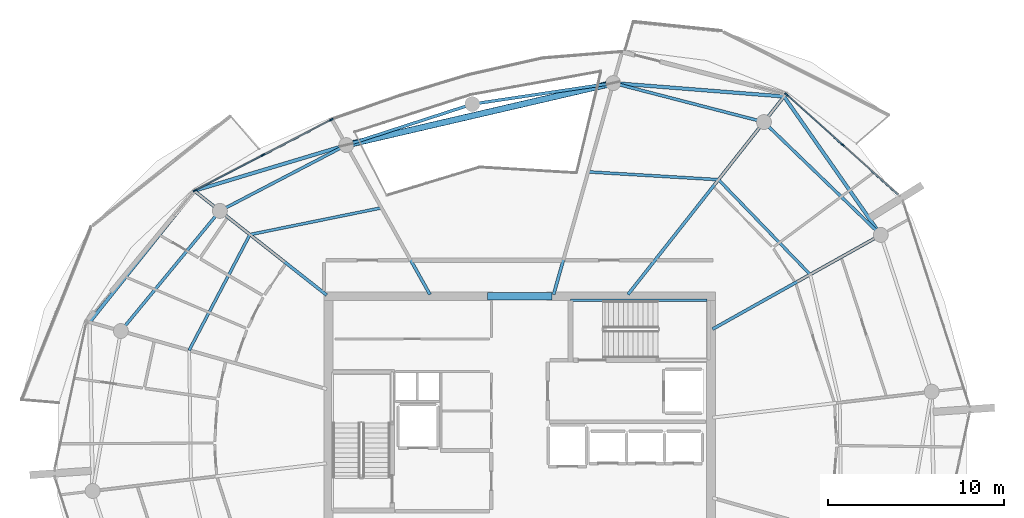
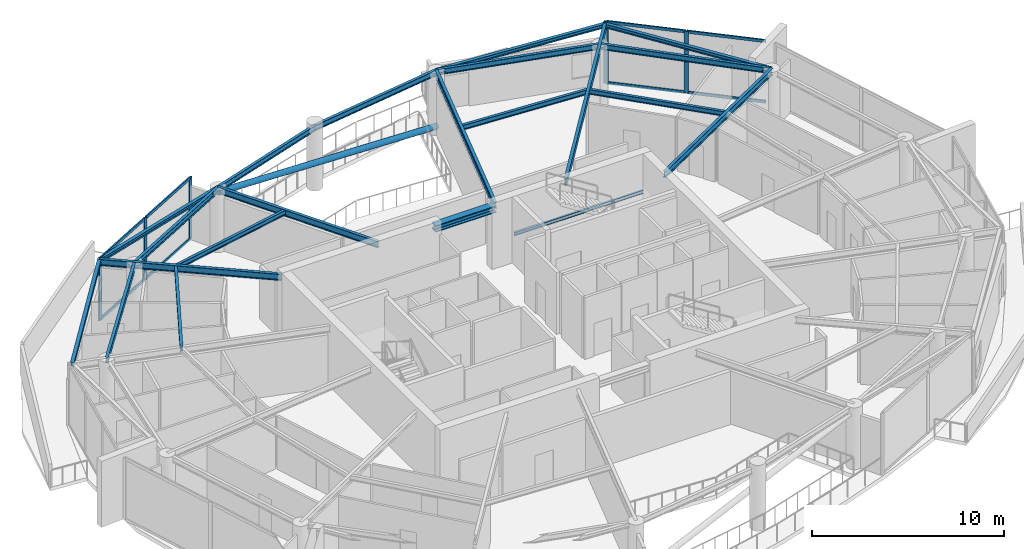
# One storey, part 7 of 22: 21 beams, 14 members, 2 elements without a shape of their own.
"""IFC4 building model written with IfcOpenShell, lengths in metres."""

from ifc_helpers import new_model, si_unit, direction, frame, origin, origin_2d, place, context, subcontext, project, spatial, rectangle, hollow_circle, i_section, extrude, material, layer, layer_set, material_profile, profile_set, type_object, element, aggregate, save


model = new_model("IFC4")

# Units and contexts
model_context = context("Model", 3, precision=1e-05, world=origin(), true_north=direction((0.0, 1.0)))
body_context = subcontext(model_context, "Body", "Model", "MODEL_VIEW")
ifc_project = project(units=[si_unit("LENGTHUNIT", "METRE"), si_unit("AREAUNIT", "SQUARE_METRE"), si_unit("VOLUMEUNIT", "CUBIC_METRE"), si_unit("PLANEANGLEUNIT", "RADIAN"), si_unit("MASSUNIT", "GRAM", prefix="KILO")], contexts=[model_context])

# Site, building, storey
site_placement = place(None, origin())
site = spatial("IfcSite", under=ifc_project, at=site_placement, CompositionType="ELEMENT")
building_placement = place(site_placement, origin())
building = spatial("IfcBuilding", under=site, at=building_placement, Name="Kazma Halo Residences", CompositionType="ELEMENT")
storey_placement = place(building_placement, frame((0.0, 0.0, 330.5)))
storey = spatial("IfcBuildingStorey", under=building, at=storey_placement, Name="L83", CompositionType="ELEMENT", Elevation=330.5)

# Beams
ifc_material_1 = material(Name="Steel S355", Category="steel")
ifc_material_profile_1 = material_profile(ifc_material_1, i_section(OverallWidth=0.201904296875, OverallDepth=0.2470703125, WebThickness=0.00732421875, FlangeThickness=0.010986328125, FilletRadius=0.011962890625, at=origin_2d()), Name="W250x49.1")
ifc_profile_set_1 = profile_set([ifc_material_profile_1], Name="Steel S355")
beam_type_1 = type_object("IfcBeamType", Name="BM-BAL-CANT", PredefinedType="BEAM", material=ifc_profile_set_1)
beam_1_placement = place(storey_placement, frame((68.96337890625, 53.739990234375, 3.81640625), z_axis=(-0.572873629847, 0.819643705659, 0.0), x_axis=(-0.819643705659, -0.572873629847, 0.0)))
element("IfcBeam", 1, at=beam_1_placement, inside=storey, type_object=beam_type_1, Name="L83 wave-balcony lead tie beam 01", PredefinedType="BEAM", context=body_context, shape_type="SweptSolid", body=[
    extrude(i_section(OverallWidth=0.201904296875, OverallDepth=0.2470703125, WebThickness=0.00732421875, FlangeThickness=0.010986328125, FilletRadius=0.011962890625, at=origin_2d()), origin(), (0.0, 0.0, 1.0), 9.6044921875),
])
beam_2_placement = place(storey_placement, frame((63.461181640625, 61.6123046875, 3.81640625), z_axis=(-0.996920506796, 0.078418767718, 0.0), x_axis=(-0.078418767718, -0.996920506796, 0.0)))
element("IfcBeam", 2, at=beam_2_placement, inside=storey, type_object=beam_type_1, Name="L83 wave-balcony tie beam 02", PredefinedType="BEAM", context=body_context, shape_type="SweptSolid", body=[
    extrude(i_section(OverallWidth=0.201904296875, OverallDepth=0.2470703125, WebThickness=0.00732421875, FlangeThickness=0.010986328125, FilletRadius=0.011962890625, at=origin_2d()), origin(), (0.0, 0.0, 1.0), 9.74462890625),
])
beam_3_placement = place(storey_placement, frame((38.563232421875, 58.8505859375, 3.81640625), z_axis=(-0.957652623349, -0.287926124193, 0.0), x_axis=(0.287926124193, -0.957652623349, 0.0)))
element("IfcBeam", 3, at=beam_3_placement, inside=storey, type_object=beam_type_1, Name="L83 wave-balcony lead tie beam 05", PredefinedType="BEAM", context=body_context, shape_type="SweptSolid", body=[
    extrude(i_section(OverallWidth=0.201904296875, OverallDepth=0.2470703125, WebThickness=0.00732421875, FlangeThickness=0.010986328125, FilletRadius=0.011962890625, at=origin_2d()), origin(), (0.0, 0.0, 1.0), 9.0244140625),
])
beam_4_placement = place(storey_placement, frame((29.9208984375, 56.252197265625, 3.81640625), z_axis=(-0.623310870646, -0.781974141858, 0.0), x_axis=(0.781974141858, -0.623310870646, 0.0)))
element("IfcBeam", 4, at=beam_4_placement, inside=storey, type_object=beam_type_1, Name="L83 wave-balcony tie beam 06", PredefinedType="BEAM", context=body_context, shape_type="SweptSolid", body=[
    extrude(i_section(OverallWidth=0.201904296875, OverallDepth=0.2470703125, WebThickness=0.00732421875, FlangeThickness=0.010986328125, FilletRadius=0.011962890625, at=origin_2d()), origin(), (0.0, 0.0, 1.0), 9.55712890625),
])
ifc_material_profile_2 = material_profile(ifc_material_1, i_section(OverallWidth=0.408935546875, OverallDepth=0.425048828125, WebThickness=0.03271484375, FlangeThickness=0.052490234375, FilletRadius=0.02001953125, at=origin_2d()), Name="W360x421")
ifc_profile_set_2 = profile_set([ifc_material_profile_2], Name="Steel S355")
beam_type_2 = type_object("IfcBeamType", Name="BM-CORE-W360H", PredefinedType="BEAM", material=ifc_profile_set_2)
beam_5_placement = place(storey_placement, frame((46.60009765625, 50.25, 3.7275390625), z_axis=(1.0, 0.0, 0.0), x_axis=(0.0, 1.0, 0.0)))
element("IfcBeam", 5, at=beam_5_placement, inside=storey, type_object=beam_type_2, Name="L83 core coupling beam N", PredefinedType="BEAM", context=body_context, shape_type="SweptSolid", body=[
    extrude(i_section(OverallWidth=0.408935546875, OverallDepth=0.425048828125, WebThickness=0.03271484375, FlangeThickness=0.052490234375, FilletRadius=0.02001953125, at=origin_2d()), origin(), (0.0, 0.0, 1.0), 3.64990234375),
])
ifc_material_profile_3 = material_profile(ifc_material_1, i_section(OverallWidth=0.177978515625, OverallDepth=0.406982421875, WebThickness=0.0078125, FlangeThickness=0.0126953125, FilletRadius=0.013916015625, at=origin_2d()), Name="W410x60")
ifc_profile_set_3 = profile_set([ifc_material_profile_3], Name="Steel S355")
beam_type_3 = type_object("IfcBeamType", Name="BM-RAD-W410", PredefinedType="BEAM", material=ifc_profile_set_3)
beam_6_placement = place(storey_placement, frame((59.39990234375, 48.38427734375, 3.736572265625), z_axis=(0.872499558985, 0.488614899047, 0.0), x_axis=(-0.488614899047, 0.872499558985, 0.0)))
element("IfcBeam", 6, at=beam_6_placement, inside=storey, type_object=beam_type_3, Name="L83 radial floor beam 01", PredefinedType="BEAM", context=body_context, shape_type="SweptSolid", body=[
    extrude(i_section(OverallWidth=0.177978515625, OverallDepth=0.406982421875, WebThickness=0.0078125, FlangeThickness=0.0126953125, FilletRadius=0.013916015625, at=origin_2d()), origin(), (0.0, 0.0, 1.0), 10.9609375),
])
beam_7_placement = place(storey_placement, frame((54.58251953125, 50.35009765625, 3.736572265625), z_axis=(0.61910487104, 0.78530832076, 0.0), x_axis=(-0.78530832076, 0.61910487104, 0.0)))
element("IfcBeam", 7, at=beam_7_placement, inside=storey, type_object=beam_type_3, Name="L83 radial floor beam 02", PredefinedType="BEAM", context=body_context, shape_type="SweptSolid", body=[
    extrude(i_section(OverallWidth=0.177978515625, OverallDepth=0.406982421875, WebThickness=0.0078125, FlangeThickness=0.0126953125, FilletRadius=0.013916015625, at=origin_2d()), origin(), (0.0, 0.0, 1.0), 14.341064453125),
])
beam_8_placement = place(storey_placement, frame((50.35498046875, 50.35009765625, 3.736572265625), z_axis=(0.271426752139, 0.962459099507, 0.0), x_axis=(-0.962459099507, 0.271426752139, 0.0)))
element("IfcBeam", 8, at=beam_8_placement, inside=storey, type_object=beam_type_3, Name="L83 radial floor beam 03", PredefinedType="BEAM", context=body_context, shape_type="SweptSolid", body=[
    extrude(i_section(OverallWidth=0.177978515625, OverallDepth=0.406982421875, WebThickness=0.0078125, FlangeThickness=0.0126953125, FilletRadius=0.013916015625, at=origin_2d()), origin(), (0.0, 0.0, 1.0), 12.495361328125),
])
beam_9_placement = place(storey_placement, frame((43.32373046875, 50.35009765625, 3.736572265625), z_axis=(-0.488620919127, 0.872496187608, 0.0), x_axis=(-0.872496187608, -0.488620919127, 0.0)))
element("IfcBeam", 9, at=beam_9_placement, inside=storey, type_object=beam_type_3, Name="L83 radial floor beam 05", PredefinedType="BEAM", context=body_context, shape_type="SweptSolid", body=[
    extrude(i_section(OverallWidth=0.177978515625, OverallDepth=0.406982421875, WebThickness=0.0078125, FlangeThickness=0.0126953125, FilletRadius=0.013916015625, at=origin_2d()), origin(), (0.0, 0.0, 1.0), 9.74267578125),
])
beam_10_placement = place(storey_placement, frame((37.449951171875, 50.31689453125, 3.736572265625), z_axis=(-0.78532321171, 0.619085982032, 0.0), x_axis=(-0.619085982032, -0.78532321171, 0.0)))
element("IfcBeam", 10, at=beam_10_placement, inside=storey, type_object=beam_type_3, Name="L83 radial floor beam 06", PredefinedType="BEAM", context=body_context, shape_type="SweptSolid", body=[
    extrude(i_section(OverallWidth=0.177978515625, OverallDepth=0.406982421875, WebThickness=0.0078125, FlangeThickness=0.0126953125, FilletRadius=0.013916015625, at=origin_2d()), origin(), (0.0, 0.0, 1.0), 9.587158203125),
])
ifc_material_profile_4 = material_profile(ifc_material_1, i_section(OverallWidth=0.1650390625, OverallDepth=0.31005859375, WebThickness=0.005859375, FlangeThickness=0.009765625, FilletRadius=0.011962890625, at=origin_2d()), Name="W310x38.7")
ifc_profile_set_4 = profile_set([ifc_material_profile_4], Name="Steel S355")
beam_type_4 = type_object("IfcBeamType", Name="BM-SEC-W310B", PredefinedType="JOIST", material=ifc_profile_set_4)
beam_11_placement = place(storey_placement, frame((64.94677734375, 51.490478515625, 3.784912109375), z_axis=(-0.695209401678, 0.718807267506, 0.0), x_axis=(-0.718807267506, -0.695209401678, 0.0)))
element("IfcBeam", 11, at=beam_11_placement, inside=storey, type_object=beam_type_4, Name="L83 circumferential floor joist 01", PredefinedType="JOIST", context=body_context, shape_type="SweptSolid", body=[
    extrude(i_section(OverallWidth=0.1650390625, OverallDepth=0.31005859375, WebThickness=0.005859375, FlangeThickness=0.009765625, FilletRadius=0.011962890625, at=origin_2d()), origin(), (0.0, 0.0, 1.0), 7.500732421875),
])
beam_12_placement = place(storey_placement, frame((59.732177734375, 56.882080078125, 3.784912109375), z_axis=(-0.998216858477, 0.059691736892, 0.0), x_axis=(-0.059691736892, -0.998216858477, 0.0)))
element("IfcBeam", 12, at=beam_12_placement, inside=storey, type_object=beam_type_4, Name="L83 circumferential floor joist 02", PredefinedType="JOIST", context=body_context, shape_type="SweptSolid", body=[
    extrude(i_section(OverallWidth=0.1650390625, OverallDepth=0.31005859375, WebThickness=0.005859375, FlangeThickness=0.009765625, FilletRadius=0.011962890625, at=origin_2d()), origin(), (0.0, 0.0, 1.0), 7.42333984375),
])
beam_13_placement = place(storey_placement, frame((40.562744140625, 55.280517578125, 3.784912109375), z_axis=(-0.979943226728, -0.199276873695, 0.0), x_axis=(0.199276873695, -0.979943226728, 0.0)))
element("IfcBeam", 13, at=beam_13_placement, inside=storey, type_object=beam_type_4, Name="L83 circumferential floor joist 05", PredefinedType="JOIST", context=body_context, shape_type="SweptSolid", body=[
    extrude(i_section(OverallWidth=0.1650390625, OverallDepth=0.31005859375, WebThickness=0.005859375, FlangeThickness=0.009765625, FilletRadius=0.011962890625, at=origin_2d()), origin(), (0.0, 0.0, 1.0), 7.632568359375),
])
beam_14_placement = place(storey_placement, frame((33.083251953125, 53.759521484375, 3.784912109375), z_axis=(-0.464998741676, -0.885311340851, 0.0), x_axis=(0.885311340851, -0.464998741676, 0.0)))
element("IfcBeam", 14, at=beam_14_placement, inside=storey, type_object=beam_type_4, Name="L83 circumferential floor joist 06", PredefinedType="JOIST", context=body_context, shape_type="SweptSolid", body=[
    extrude(i_section(OverallWidth=0.1650390625, OverallDepth=0.31005859375, WebThickness=0.005859375, FlangeThickness=0.009765625, FilletRadius=0.011962890625, at=origin_2d()), origin(), (0.0, 0.0, 1.0), 7.43017578125),
])
ifc_material_profile_5 = material_profile(ifc_material_1, i_section(OverallWidth=0.1708984375, OverallDepth=0.35498046875, WebThickness=0.007080078125, FlangeThickness=0.01171875, FilletRadius=0.013916015625, at=origin_2d()), Name="W360x51")
ifc_profile_set_5 = profile_set([ifc_material_profile_5], Name="Steel S355")
beam_type_5 = type_object("IfcBeamType", Name="BM-SPN-W360", PredefinedType="BEAM", material=ifc_profile_set_5)
beam_15_placement = place(storey_placement, frame((68.96337890625, 53.739990234375, 3.762451171875), z_axis=(-0.71933681628, 0.694661460529, 0.0), x_axis=(-0.694661460529, -0.71933681628, 0.0)))
element("IfcBeam", 15, at=beam_15_placement, inside=storey, type_object=beam_type_5, Name="L83 perimeter ring beam 01", PredefinedType="BEAM", context=body_context, shape_type="SweptSolid", body=[
    extrude(i_section(OverallWidth=0.1708984375, OverallDepth=0.35498046875, WebThickness=0.007080078125, FlangeThickness=0.01171875, FilletRadius=0.013916015625, at=origin_2d()), origin(), (0.0, 0.0, 1.0), 9.2412109375),
])
beam_16_placement = place(storey_placement, frame((62.31591796875, 60.159423828125, 3.762451171875), z_axis=(-0.968124082793, 0.250471076805, 0.0), x_axis=(-0.250471076805, -0.968124082793, 0.0)))
element("IfcBeam", 16, at=beam_16_placement, inside=storey, type_object=beam_type_5, Name="L83 perimeter ring beam 02", PredefinedType="BEAM", context=body_context, shape_type="SweptSolid", body=[
    extrude(i_section(OverallWidth=0.1708984375, OverallDepth=0.35498046875, WebThickness=0.007080078125, FlangeThickness=0.01171875, FilletRadius=0.013916015625, at=origin_2d()), origin(), (0.0, 0.0, 1.0), 8.8515625),
])
beam_17_placement = place(storey_placement, frame((53.74658203125, 62.37646484375, 3.762451171875), z_axis=(-0.989030710595, -0.147710031817, 0.0), x_axis=(0.147710031817, -0.989030710595, 0.0)))
element("IfcBeam", 17, at=beam_17_placement, inside=storey, type_object=beam_type_5, Name="L83 perimeter ring beam 03", PredefinedType="BEAM", context=body_context, shape_type="SweptSolid", body=[
    extrude(i_section(OverallWidth=0.1708984375, OverallDepth=0.35498046875, WebThickness=0.007080078125, FlangeThickness=0.01171875, FilletRadius=0.013916015625, at=origin_2d()), origin(), (0.0, 0.0, 1.0), 8.10546875),
])
beam_18_placement = place(storey_placement, frame((45.72998046875, 61.17919921875, 3.762451171875), z_axis=(-0.951056684666, -0.309016476183, 0.0), x_axis=(0.309016476183, -0.951056684666, 0.0)))
element("IfcBeam", 18, at=beam_18_placement, inside=storey, type_object=beam_type_5, Name="L83 perimeter ring beam 04", PredefinedType="BEAM", context=body_context, shape_type="SweptSolid", body=[
    extrude(i_section(OverallWidth=0.1708984375, OverallDepth=0.35498046875, WebThickness=0.007080078125, FlangeThickness=0.01171875, FilletRadius=0.013916015625, at=origin_2d()), origin(), (0.0, 0.0, 1.0), 7.53564453125),
])
beam_19_placement = place(storey_placement, frame((38.563232421875, 58.8505859375, 3.762451171875), z_axis=(-0.886957269655, -0.461851493238, 0.0), x_axis=(0.461851493238, -0.886957269655, 0.0)))
element("IfcBeam", 19, at=beam_19_placement, inside=storey, type_object=beam_type_5, Name="L83 perimeter ring beam 05", PredefinedType="BEAM", context=body_context, shape_type="SweptSolid", body=[
    extrude(i_section(OverallWidth=0.1708984375, OverallDepth=0.35498046875, WebThickness=0.007080078125, FlangeThickness=0.01171875, FilletRadius=0.013916015625, at=origin_2d()), origin(), (0.0, 0.0, 1.0), 8.105712890625),
])
beam_20_placement = place(storey_placement, frame((31.373779296875, 55.10693359375, 3.762451171875), z_axis=(-0.636004986424, -0.771684946881, 0.0), x_axis=(0.771684946881, -0.636004986424, 0.0)))
element("IfcBeam", 20, at=beam_20_placement, inside=storey, type_object=beam_type_5, Name="L83 perimeter ring beam 06", PredefinedType="BEAM", context=body_context, shape_type="SweptSolid", body=[
    extrude(i_section(OverallWidth=0.1708984375, OverallDepth=0.35498046875, WebThickness=0.007080078125, FlangeThickness=0.01171875, FilletRadius=0.013916015625, at=origin_2d()), origin(), (0.0, 0.0, 1.0), 8.85107421875),
])
ifc_material_profile_6 = material_profile(ifc_material_1, i_section(OverallWidth=0.133056640625, OverallDepth=0.20703125, WebThickness=0.005859375, FlangeThickness=0.00830078125, FilletRadius=0.010009765625, at=origin_2d()), Name="W200x26.6")
ifc_profile_set_6 = profile_set([ifc_material_profile_6], Name="Steel S355")
beam_type_6 = type_object("IfcBeamType", Name="BM-TRIM-W200", PredefinedType="BEAM", material=ifc_profile_set_6)
beam_21_placement = place(storey_placement, frame((51.31005859375, 50.02001953125, 1.794921875), z_axis=(1.0, 0.0, 0.0), x_axis=(0.0, 1.0, 0.0)))
element("IfcBeam", 21, at=beam_21_placement, inside=storey, type_object=beam_type_6, Name="L83 ST-02 landing north wall ledger", PredefinedType="BEAM", context=body_context, shape_type="SweptSolid", body=[
    extrude(i_section(OverallWidth=0.133056640625, OverallDepth=0.20703125, WebThickness=0.005859375, FlangeThickness=0.00830078125, FilletRadius=0.010009765625, at=origin_2d()), origin(), (0.0, 0.0, 1.0), 7.760009765625),
])

# Curtain wall, members
ifc_material_2 = material(Name="Aluminium AW-6063 T6 and Triple-Silver Low-E Glass", Category="aluminium")
ifc_layer = layer(ifc_material_2, 0.239990234375)
ifc_layer_set = layer_set([ifc_layer], Name="Aluminium AW-6063 T6 and Triple-Silver Low-E Glass")
curtain_wall_type = type_object("IfcCurtainWallType", Name="CW-SYS-6", PredefinedType="NOTDEFINED", material=ifc_layer_set)
curtain_wall_1_placement = place(storey_placement, origin())
curtain_wall_1 = element("IfcCurtainWall", 22, at=curtain_wall_1_placement, inside=storey, type_object=curtain_wall_type, Name="L83 unitised curtain wall B01", PredefinedType="NOTDEFINED")
ifc_material_3 = material(Name="Aluminium AW-6063 T6", Category="aluminium")
ifc_material_profile_7 = material_profile(ifc_material_3, rectangle(XDim=0.080078125, YDim=0.239990234375, at=origin_2d()), Name="CWM-80x240")
ifc_profile_set_7 = profile_set([ifc_material_profile_7], Name="Aluminium AW-6063 T6")
member_type_1 = type_object("IfcMemberType", Name="CW-SYS-6-MUL", PredefinedType="MULLION", material=ifc_profile_set_7)
member_1_placement = place(storey_placement, frame((66.78466796875, 58.86962890625, 0.0), z_axis=(0.0, 0.0, 1.0), x_axis=(-0.667757559118, -0.744378829791, 0.0)))
member_1 = element("IfcMember", 23, at=member_1_placement, type_object=member_type_1, Name="CWS-6 mullion 2", PredefinedType="MULLION", context=body_context, shape_type="SweptSolid", body=[
    extrude(rectangle(XDim=0.080078125, YDim=0.239990234375, at=origin_2d()), origin(), (0.0, 0.0, 1.0), 3.93994140625),
])
member_2_placement = place(storey_placement, frame((63.60107421875, 61.7255859375, 0.0), z_axis=(0.0, 0.0, 1.0), x_axis=(-0.667757559118, -0.744378829791, 0.0)))
member_2 = element("IfcMember", 24, at=member_2_placement, type_object=member_type_1, Name="CWS-6 mullion 3", PredefinedType="MULLION", context=body_context, shape_type="SweptSolid", body=[
    extrude(rectangle(XDim=0.080078125, YDim=0.239990234375, at=origin_2d()), origin(), (0.0, 0.0, 1.0), 3.93994140625),
])

curtain_wall_2_placement = place(storey_placement, origin())
curtain_wall_2 = element("IfcCurtainWall", 25, at=curtain_wall_2_placement, inside=storey, type_object=curtain_wall_type, Name="L83 unitised curtain wall B05", PredefinedType="NOTDEFINED")
member_3_placement = place(storey_placement, frame((37.709716796875, 60.29296875, 0.0), z_axis=(0.0, 0.0, 1.0), x_axis=(0.460796020861, -0.887506071618, 0.0)))
member_3 = element("IfcMember", 26, at=member_3_placement, type_object=member_type_1, Name="CWS-6 mullion 1", PredefinedType="MULLION", context=body_context, shape_type="SweptSolid", body=[
    extrude(rectangle(XDim=0.080078125, YDim=0.239990234375, at=origin_2d()), origin(), (0.0, 0.0, 1.0), 3.93994140625),
])
member_4_placement = place(storey_placement, frame((33.83447265625, 58.28076171875, 0.0), z_axis=(0.0, 0.0, 1.0), x_axis=(0.460796020861, -0.887506071618, 0.0)))
member_4 = element("IfcMember", 27, at=member_4_placement, type_object=member_type_1, Name="CWS-6 mullion 2", PredefinedType="MULLION", context=body_context, shape_type="SweptSolid", body=[
    extrude(rectangle(XDim=0.080078125, YDim=0.239990234375, at=origin_2d()), origin(), (0.0, 0.0, 1.0), 3.93994140625),
])
member_5_placement = place(storey_placement, frame((29.958984375, 56.268798828125, 0.0), z_axis=(0.0, 0.0, 1.0), x_axis=(0.460796020861, -0.887506071618, 0.0)))
member_5 = element("IfcMember", 28, at=member_5_placement, type_object=member_type_1, Name="CWS-6 mullion 3", PredefinedType="MULLION", context=body_context, shape_type="SweptSolid", body=[
    extrude(rectangle(XDim=0.080078125, YDim=0.239990234375, at=origin_2d()), origin(), (0.0, 0.0, 1.0), 3.93994140625),
])

# Member
ifc_material_profile_8 = material_profile(ifc_material_3, rectangle(XDim=0.080078125, YDim=0.179931640625, at=origin_2d()), Name="CWT-80x180")
ifc_profile_set_8 = profile_set([ifc_material_profile_8], Name="Aluminium AW-6063 T6")
member_type_2 = type_object("IfcMemberType", Name="CW-SYS-6-TRN", PredefinedType="USERDEFINED", material=ifc_profile_set_8)
member_6_placement = place(storey_placement, frame((69.938232421875, 56.04052734375, 0.0400390625), z_axis=(-0.744349048391, 0.66779075627, 0.0), x_axis=(-0.66779075627, -0.744349048391, 0.0)))
member_6 = element("IfcMember", 29, at=member_6_placement, type_object=member_type_2, Name="CWS-6 transom 1.1", ObjectType="TRANSOM", PredefinedType="USERDEFINED", context=body_context, shape_type="SweptSolid", body=[
    extrude(rectangle(XDim=0.080078125, YDim=0.179931640625, at=origin_2d()), origin(), (0.0, 0.0, 1.0), 4.19677734375),
])

member_7_placement = place(storey_placement, frame((69.938232421875, 56.04052734375, 3.89990234375), z_axis=(-0.744349048391, 0.66779075627, 0.0), x_axis=(-0.66779075627, -0.744349048391, 0.0)))
member_7 = element("IfcMember", 30, at=member_7_placement, type_object=member_type_2, Name="CWS-6 transom 1.2", ObjectType="TRANSOM", PredefinedType="USERDEFINED", context=body_context, shape_type="SweptSolid", body=[
    extrude(rectangle(XDim=0.080078125, YDim=0.179931640625, at=origin_2d()), origin(), (0.0, 0.0, 1.0), 4.19677734375),
])

member_8_placement = place(storey_placement, frame((66.7548828125, 58.896484375, 0.0400390625), z_axis=(-0.744403905463, 0.667729605103, 0.0), x_axis=(-0.667729605103, -0.744403905463, 0.0)))
member_8 = element("IfcMember", 31, at=member_8_placement, type_object=member_type_2, Name="CWS-6 transom 2.1", ObjectType="TRANSOM", PredefinedType="USERDEFINED", context=body_context, shape_type="SweptSolid", body=[
    extrude(rectangle(XDim=0.080078125, YDim=0.179931640625, at=origin_2d()), origin(), (0.0, 0.0, 1.0), 4.19677734375),
])

member_9_placement = place(storey_placement, frame((66.7548828125, 58.896484375, 3.89990234375), z_axis=(-0.744403905463, 0.667729605103, 0.0), x_axis=(-0.667729605103, -0.744403905463, 0.0)))
member_9 = element("IfcMember", 32, at=member_9_placement, type_object=member_type_2, Name="CWS-6 transom 2.2", ObjectType="TRANSOM", PredefinedType="USERDEFINED", context=body_context, shape_type="SweptSolid", body=[
    extrude(rectangle(XDim=0.080078125, YDim=0.179931640625, at=origin_2d()), origin(), (0.0, 0.0, 1.0), 4.19677734375),
])

aggregate(curtain_wall_1, [member_1, member_2, member_6, member_7, member_8, member_9])

member_10_placement = place(storey_placement, frame((37.67431640625, 60.2744140625, 0.0400390625), z_axis=(-0.88752339951, -0.460762645321, 0.0), x_axis=(0.460762645321, -0.88752339951, 0.0)))
member_10 = element("IfcMember", 33, at=member_10_placement, type_object=member_type_2, Name="CWS-6 transom 1.1", ObjectType="TRANSOM", PredefinedType="USERDEFINED", context=body_context, shape_type="SweptSolid", body=[
    extrude(rectangle(XDim=0.080078125, YDim=0.179931640625, at=origin_2d()), origin(), (0.0, 0.0, 1.0), 4.28662109375),
])

member_11_placement = place(storey_placement, frame((37.67431640625, 60.2744140625, 3.89990234375), z_axis=(-0.88752339951, -0.460762645321, 0.0), x_axis=(0.460762645321, -0.88752339951, 0.0)))
member_11 = element("IfcMember", 34, at=member_11_placement, type_object=member_type_2, Name="CWS-6 transom 1.2", ObjectType="TRANSOM", PredefinedType="USERDEFINED", context=body_context, shape_type="SweptSolid", body=[
    extrude(rectangle(XDim=0.080078125, YDim=0.179931640625, at=origin_2d()), origin(), (0.0, 0.0, 1.0), 4.28662109375),
])

member_12_placement = place(storey_placement, frame((33.798828125, 58.262451171875, 0.0400390625), z_axis=(-0.887488013571, -0.4608307995, 0.0), x_axis=(0.4608307995, -0.887488013571, 0.0)))
member_12 = element("IfcMember", 35, at=member_12_placement, type_object=member_type_2, Name="CWS-6 transom 2.1", ObjectType="TRANSOM", PredefinedType="USERDEFINED", context=body_context, shape_type="SweptSolid", body=[
    extrude(rectangle(XDim=0.080078125, YDim=0.179931640625, at=origin_2d()), origin(), (0.0, 0.0, 1.0), 4.286376953125),
])

member_13_placement = place(storey_placement, frame((33.798828125, 58.262451171875, 3.89990234375), z_axis=(-0.887488013571, -0.4608307995, 0.0), x_axis=(0.4608307995, -0.887488013571, 0.0)))
member_13 = element("IfcMember", 36, at=member_13_placement, type_object=member_type_2, Name="CWS-6 transom 2.2", ObjectType="TRANSOM", PredefinedType="USERDEFINED", context=body_context, shape_type="SweptSolid", body=[
    extrude(rectangle(XDim=0.080078125, YDim=0.179931640625, at=origin_2d()), origin(), (0.0, 0.0, 1.0), 4.286376953125),
])

aggregate(curtain_wall_2, [member_3, member_4, member_5, member_10, member_11, member_12, member_13])

ifc_material_profile_9 = material_profile(ifc_material_1, hollow_circle(Radius=0.177734375, WallThickness=0.012451171875, at=origin_2d()), Name="CHS355.6x12.5")
ifc_profile_set_9 = profile_set([ifc_material_profile_9], Name="Steel S355")
member_type_3 = type_object("IfcMemberType", Name="MBR-PORT-CHS355", PredefinedType="BRACE", material=ifc_profile_set_9)
member_14_placement = place(storey_placement, frame((53.74658203125, 62.37646484375, 0.300048828125), z_axis=(-0.953451168397, -0.221410522005, 0.204715046415), x_axis=(0.226201096399, -0.974080624994, 0.0)))
element("IfcMember", 37, at=member_14_placement, inside=storey, type_object=member_type_3, Name="L83 upper wind-portal brace NNW", PredefinedType="BRACE", context=body_context, shape_type="SweptSolid", body=[
    extrude(hollow_circle(Radius=0.177734375, WallThickness=0.012451171875, at=origin_2d()), origin(), (0.0, 0.0, 1.0), 15.924560546875),
])

save(model, "model.ifc")
